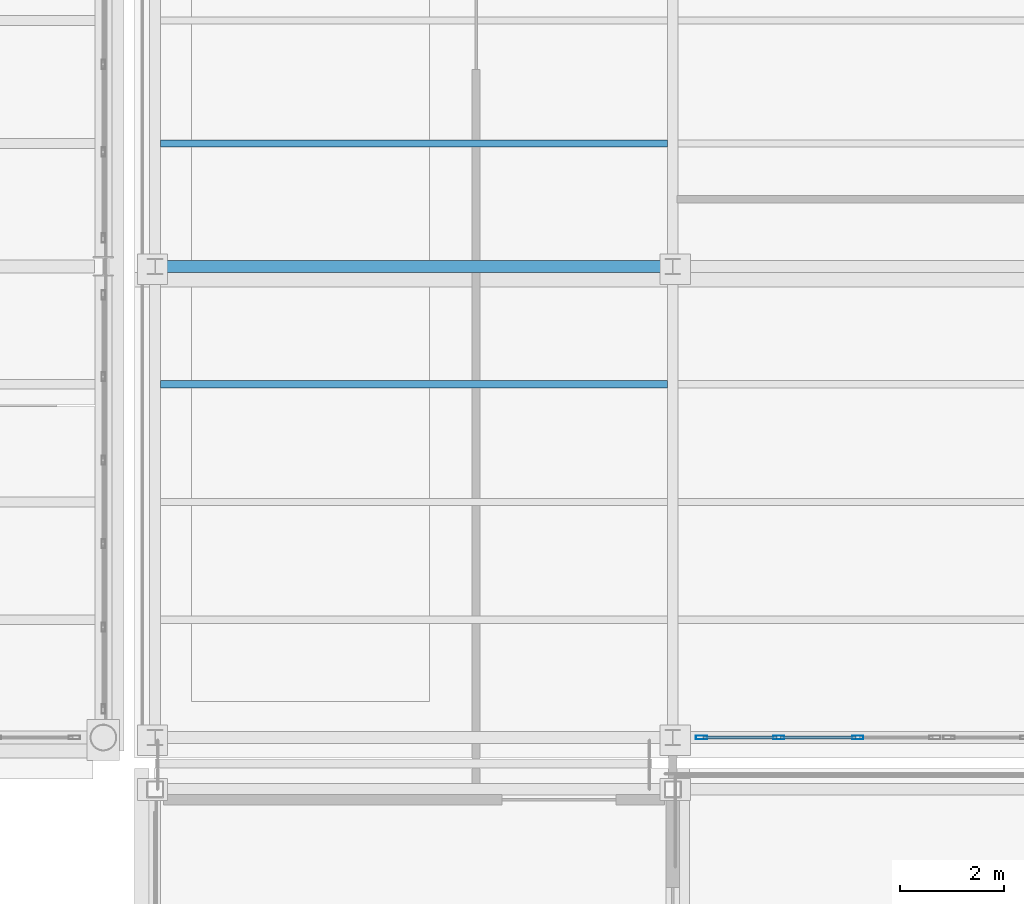
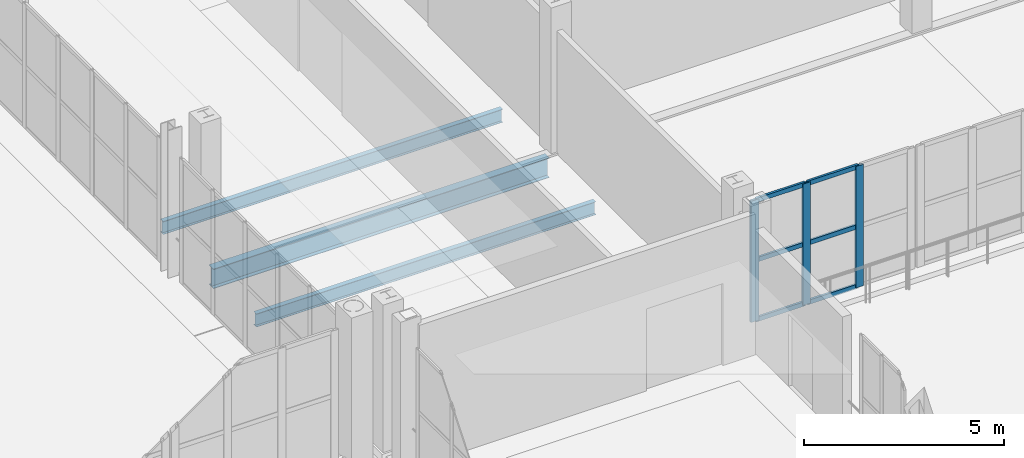
# One storey, part 85 of 156: 9 members, 3 beams, 1 element without a shape of its own.
"""IFC4 building model written with IfcOpenShell, lengths in metres."""

from ifc_helpers import new_model, si_unit, direction, frame, origin, origin_2d, place, context, subcontext, project, spatial, hollow_rectangle, i_section, extrude, material, material_profile, profile_set, type_object, element, aggregate, save


model = new_model("IFC4")

# Units and contexts
model_context = context("Model", 3, precision=1e-05, world=origin(), true_north=direction((0.0, 1.0)))
body_context = subcontext(model_context, "Body", "Model", "MODEL_VIEW")
ifc_project = project(units=[si_unit("LENGTHUNIT", "METRE"), si_unit("AREAUNIT", "SQUARE_METRE"), si_unit("VOLUMEUNIT", "CUBIC_METRE"), si_unit("PLANEANGLEUNIT", "RADIAN"), si_unit("MASSUNIT", "GRAM", prefix="KILO")], contexts=[model_context])

# Site, building, storey
site_placement = place(None, origin())
site = spatial("IfcSite", under=ifc_project, at=site_placement, CompositionType="ELEMENT")
building_placement = place(site_placement, origin())
building = spatial("IfcBuilding", under=site, at=building_placement, Name="Caurita Quay Ferry Terminal", CompositionType="ELEMENT")
storey_placement = place(building_placement, frame((0.0, 0.0, 5.39990234375)))
storey = spatial("IfcBuildingStorey", under=building, at=storey_placement, Name="L01", CompositionType="ELEMENT", Elevation=5.39990234375)

# Beams
ifc_material_1 = material(Name="Structural steel ASTM A992 Gr. 50", Category="steel")
ifc_material_profile_1 = material_profile(ifc_material_1, i_section(OverallWidth=0.22802734375, OverallDepth=0.60205078125, WebThickness=0.010498046875, FlangeThickness=0.014892578125, at=origin_2d()), Name="W24X68")
ifc_profile_set_1 = profile_set([ifc_material_profile_1], Name="Structural steel ASTM A992 Gr. 50")
beam_type_1 = type_object("IfcBeamType", Name="BM-GR-W24C", PredefinedType="BEAM", material=ifc_profile_set_1)
beam_placement = place(storey_placement, frame((132.95751953125, 43.699951171875, -0.535888671875), z_axis=(1.0, 0.0, 0.0), x_axis=(0.0, 1.0, 0.0)))
element("IfcBeam", 1, at=beam_placement, inside=storey, type_object=beam_type_1, Name="L01 Beam BM-V3H-L01-X-1330-437", PredefinedType="BEAM", context=body_context, shape_type="SweptSolid", body=[
    extrude(i_section(OverallWidth=0.22802734375, OverallDepth=0.60205078125, WebThickness=0.010498046875, FlangeThickness=0.014892578125, at=origin_2d()), origin(), (0.0, 0.0, 1.0), 9.684814453125),
])
ifc_material_profile_2 = material_profile(ifc_material_1, i_section(OverallWidth=0.139892578125, OverallDepth=0.39892578125, WebThickness=0.00634765625, FlangeThickness=0.0087890625, at=origin_2d()), Name="W16X26")
ifc_profile_set_2 = profile_set([ifc_material_profile_2], Name="Structural steel ASTM A992 Gr. 50")
beam_type_2 = type_object("IfcBeamType", Name="BM-JS-W16C", PredefinedType="JOIST", material=ifc_profile_set_2)
for number, where, z_axis, x_axis, name in (
    (2, (132.905517578125, 41.425048828125, -0.434326171875), (1.0, 0.0, 0.0), (0.0, 1.0, 0.0), "L01 Beam JS-V3H-L01-003"),
    (3, (132.905517578125, 46.074951171875, -0.434326171875), (1.0, 0.0, 0.0), (0.0, 1.0, 0.0), "L01 Beam JS-V3H-L01-004"),
):
    element("IfcBeam", number, at=place(storey_placement, frame(where, z_axis=z_axis, x_axis=x_axis)), inside=storey, type_object=beam_type_2, Name=name, PredefinedType="JOIST", context=body_context, shape_type="SweptSolid", body=[
        extrude(i_section(OverallWidth=0.139892578125, OverallDepth=0.39892578125, WebThickness=0.00634765625, FlangeThickness=0.0087890625, at=origin_2d()), origin(), (0.0, 0.0, 1.0), 9.7890625),
    ])

# Curtain wall, members
ifc_material_2 = material(Name="Laminated solar-control insulated glass", Category="glass")
curtain_wall_type = type_object("IfcCurtainWallType", Name="CW-SYS-10", PredefinedType="NOTDEFINED", material=ifc_material_2)
curtain_wall_placement = place(storey_placement, origin())
curtain_wall = element("IfcCurtainWall", 4, at=curtain_wall_placement, inside=storey, type_object=curtain_wall_type, Name="V3 Waterside Concourse Curtain Wall 073", PredefinedType="NOTDEFINED")
ifc_material_3 = material(Name="Anodized aluminium 6063-T6", Category="aluminium")
ifc_material_profile_3 = material_profile(ifc_material_3, hollow_rectangle(XDim=0.074951171875, YDim=0.219970703125, WallThickness=0.00390625, at=origin_2d()), Name="ALU-MUL-75X220")
ifc_profile_set_3 = profile_set([ifc_material_profile_3], Name="Anodized aluminium 6063-T6")
member_type_1 = type_object("IfcMemberType", Name="CW-MUL-220", PredefinedType="MULLION", material=ifc_profile_set_3)
member_1_placement = place(storey_placement, frame((143.357421875, 34.60009765625, 0.0), z_axis=(0.0, 0.0, 1.0), x_axis=(0.0, 1.0, 0.0)))
member_1 = element("IfcMember", 5, at=member_1_placement, type_object=member_type_1, Name="CW-SEA-073 Mullion 1", PredefinedType="MULLION", context=body_context, shape_type="SweptSolid", body=[
    extrude(hollow_rectangle(XDim=0.074951171875, YDim=0.219970703125, WallThickness=0.00390625, at=origin_2d()), origin(), (0.0, 0.0, 1.0), 3.7001953125),
])
member_2_placement = place(storey_placement, frame((144.8466796875, 34.60009765625, 0.0), z_axis=(0.0, 0.0, 1.0), x_axis=(0.0, 1.0, 0.0)))
member_2 = element("IfcMember", 6, at=member_2_placement, type_object=member_type_1, Name="CW-SEA-073 Mullion 2", PredefinedType="MULLION", context=body_context, shape_type="SweptSolid", body=[
    extrude(hollow_rectangle(XDim=0.074951171875, YDim=0.219970703125, WallThickness=0.00390625, at=origin_2d()), origin(), (0.0, 0.0, 1.0), 3.7001953125),
])
member_3_placement = place(storey_placement, frame((146.373291015625, 34.60009765625, 0.0), z_axis=(0.0, 0.0, 1.0), x_axis=(0.0, 1.0, 0.0)))
member_3 = element("IfcMember", 7, at=member_3_placement, type_object=member_type_1, Name="CW-SEA-073 Mullion 3", PredefinedType="MULLION", context=body_context, shape_type="SweptSolid", body=[
    extrude(hollow_rectangle(XDim=0.074951171875, YDim=0.219970703125, WallThickness=0.00390625, at=origin_2d()), origin(), (0.0, 0.0, 1.0), 3.7001953125),
])
ifc_material_profile_4 = material_profile(ifc_material_3, hollow_rectangle(XDim=0.06494140625, YDim=0.135009765625, WallThickness=0.00341796875, at=origin_2d()), Name="ALU-TRN-65X135")
ifc_profile_set_4 = profile_set([ifc_material_profile_4], Name="Anodized aluminium 6063-T6")
member_type_2 = type_object("IfcMemberType", Name="CW-TRN-135", PredefinedType="USERDEFINED", material=ifc_profile_set_4)
member_4_placement = place(storey_placement, frame((143.39306640625, 34.60009765625, 0.03271484375), z_axis=(1.0, 0.0, 0.0), x_axis=(0.0, 1.0, 0.0)))
member_4 = element("IfcMember", 8, at=member_4_placement, type_object=member_type_2, Name="CW-SEA-073 Transom 1", ObjectType="TRANSOM", PredefinedType="USERDEFINED", context=body_context, shape_type="SweptSolid", body=[
    extrude(hollow_rectangle(XDim=0.06494140625, YDim=0.135009765625, WallThickness=0.00341796875, at=origin_2d()), origin(), (0.0, 0.0, 1.0), 1.418212890625),
])
member_5_placement = place(storey_placement, frame((143.39306640625, 34.60009765625, 1.85009765625), z_axis=(1.0, 0.0, 0.0), x_axis=(0.0, 1.0, 0.0)))
member_5 = element("IfcMember", 9, at=member_5_placement, type_object=member_type_2, Name="CW-SEA-073 Transom 2", ObjectType="TRANSOM", PredefinedType="USERDEFINED", context=body_context, shape_type="SweptSolid", body=[
    extrude(hollow_rectangle(XDim=0.06494140625, YDim=0.135009765625, WallThickness=0.00341796875, at=origin_2d()), origin(), (0.0, 0.0, 1.0), 1.418212890625),
])
member_6_placement = place(storey_placement, frame((143.39306640625, 34.60009765625, 3.66748046875), z_axis=(1.0, 0.0, 0.0), x_axis=(0.0, 1.0, 0.0)))
member_6 = element("IfcMember", 10, at=member_6_placement, type_object=member_type_2, Name="CW-SEA-073 Transom 3", ObjectType="TRANSOM", PredefinedType="USERDEFINED", context=body_context, shape_type="SweptSolid", body=[
    extrude(hollow_rectangle(XDim=0.06494140625, YDim=0.135009765625, WallThickness=0.00341796875, at=origin_2d()), origin(), (0.0, 0.0, 1.0), 1.418212890625),
])
member_7_placement = place(storey_placement, frame((144.882080078125, 34.60009765625, 0.03271484375), z_axis=(1.0, 0.0, 0.0), x_axis=(0.0, 1.0, 0.0)))
member_7 = element("IfcMember", 11, at=member_7_placement, type_object=member_type_2, Name="CW-SEA-073 Transom 4", ObjectType="TRANSOM", PredefinedType="USERDEFINED", context=body_context, shape_type="SweptSolid", body=[
    extrude(hollow_rectangle(XDim=0.06494140625, YDim=0.135009765625, WallThickness=0.00341796875, at=origin_2d()), origin(), (0.0, 0.0, 1.0), 1.455810546875),
])
member_8_placement = place(storey_placement, frame((144.882080078125, 34.60009765625, 1.85009765625), z_axis=(1.0, 0.0, 0.0), x_axis=(0.0, 1.0, 0.0)))
member_8 = element("IfcMember", 12, at=member_8_placement, type_object=member_type_2, Name="CW-SEA-073 Transom 5", ObjectType="TRANSOM", PredefinedType="USERDEFINED", context=body_context, shape_type="SweptSolid", body=[
    extrude(hollow_rectangle(XDim=0.06494140625, YDim=0.135009765625, WallThickness=0.00341796875, at=origin_2d()), origin(), (0.0, 0.0, 1.0), 1.455810546875),
])
member_9_placement = place(storey_placement, frame((144.882080078125, 34.60009765625, 3.66748046875), z_axis=(1.0, 0.0, 0.0), x_axis=(0.0, 1.0, 0.0)))
member_9 = element("IfcMember", 13, at=member_9_placement, type_object=member_type_2, Name="CW-SEA-073 Transom 6", ObjectType="TRANSOM", PredefinedType="USERDEFINED", context=body_context, shape_type="SweptSolid", body=[
    extrude(hollow_rectangle(XDim=0.06494140625, YDim=0.135009765625, WallThickness=0.00341796875, at=origin_2d()), origin(), (0.0, 0.0, 1.0), 1.455810546875),
])
aggregate(curtain_wall, [member_1, member_2, member_3, member_4, member_5, member_6, member_7, member_8, member_9])

save(model, "model.ifc")
